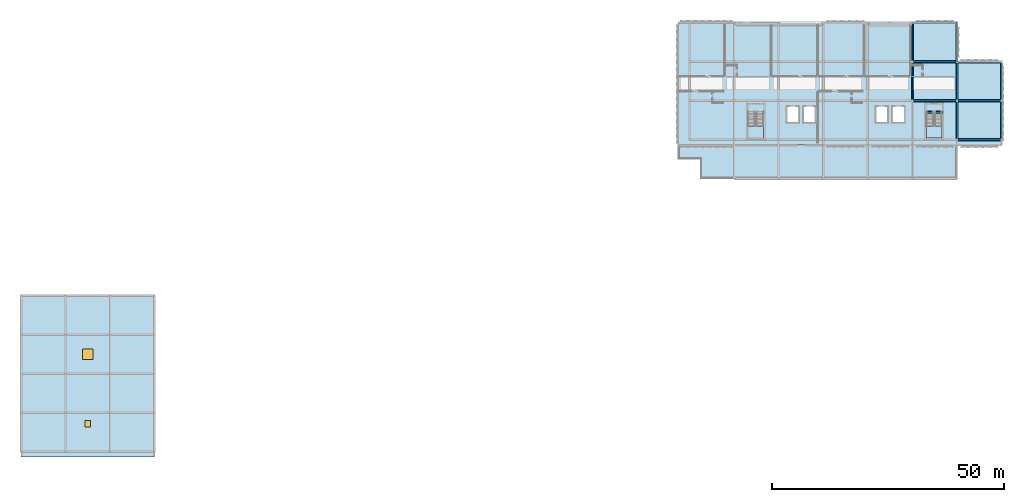
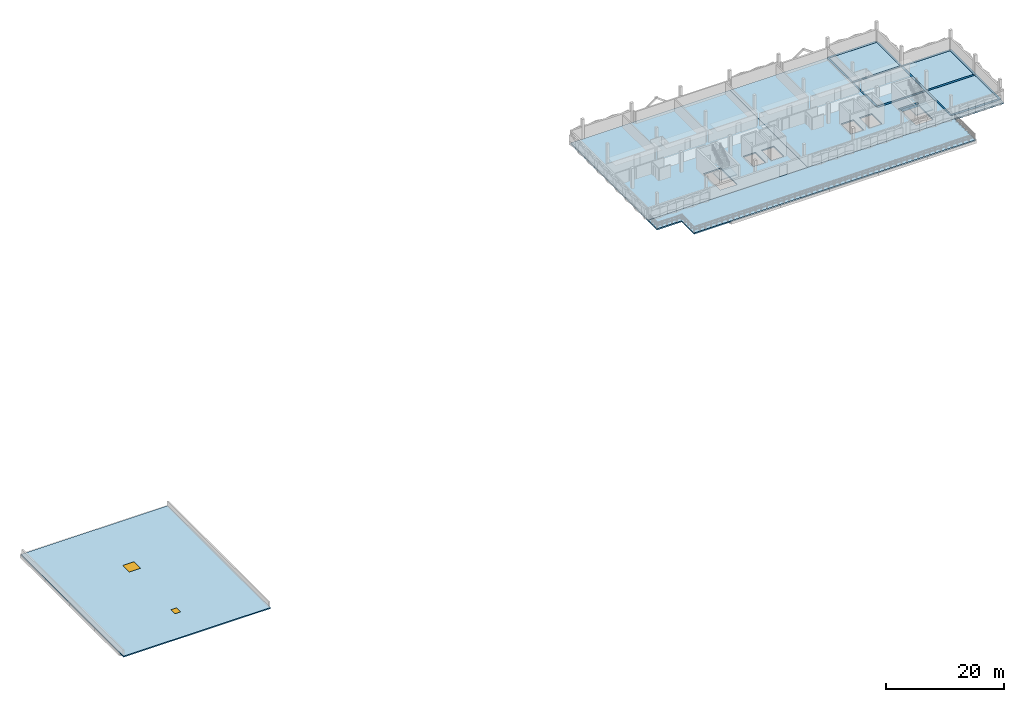
# One storey, part 3 of 13: 14 beams, 6 slabs, 1 door, 1 window, 2 openings, 3 elements without a shape of their own.
"""IFC4 building model written with IfcOpenShell, lengths in metres."""

from ifc_helpers import new_model, si_unit, direction, frame, origin, origin_2d, place, context, subcontext, project, spatial, polyline, rectangle, outline, extrude, material, layer, layer_set, material_profile, profile_set, type_object, element, fill, aggregate, save


model = new_model("IFC4")

# Units and contexts
model_context = context("Model", 3, precision=1e-05, world=origin(), true_north=direction((0.0, 1.0)))
body_context = subcontext(model_context, "Body", "Model", "MODEL_VIEW")
ifc_project = project(units=[si_unit("LENGTHUNIT", "METRE"), si_unit("AREAUNIT", "SQUARE_METRE"), si_unit("VOLUMEUNIT", "CUBIC_METRE"), si_unit("PLANEANGLEUNIT", "RADIAN"), si_unit("MASSUNIT", "GRAM", prefix="KILO")], contexts=[model_context])

# Site, building, storey
site_placement = place(None, origin())
site = spatial("IfcSite", under=ifc_project, at=site_placement, CompositionType="ELEMENT")
building_placement = place(site_placement, origin())
building = spatial("IfcBuilding", under=site, at=building_placement, Name="Oolite Switchyard Hospital", CompositionType="ELEMENT")
storey_placement = place(building_placement, frame((0.0, 0.0, 30.39990234375)))
storey = spatial("IfcBuildingStorey", under=building, at=storey_placement, Name="L07", CompositionType="ELEMENT", Elevation=30.39990234375)

# Beams
ifc_material_1 = material(Name="Concrete C40/50", Category="concrete")
ifc_material_profile_1 = material_profile(ifc_material_1, rectangle(XDim=0.35009765625, YDim=0.550048828125, at=origin_2d()), Name="RCB350X550")
ifc_profile_set_1 = profile_set([ifc_material_profile_1], Name="Concrete C40/50")
beam_type_1 = type_object("IfcBeamType", Name="BM-RC350X550", PredefinedType="BEAM", material=ifc_profile_set_1)
for number, where, z_axis, x_axis, name in (
    (1, (192.0, 117.60009765625, -0.27490234375), (0.0, 1.0, 0.0), (-1.0, 0.0, 0.0), "L07 Y-Girder 3932"),
    (2, (192.0, 126.0, -0.27490234375), (0.0, 1.0, 0.0), (-1.0, 0.0, 0.0), "L07 Y-Girder 3933"),
):
    element("IfcBeam", number, at=place(storey_placement, frame(where, z_axis=z_axis, x_axis=x_axis)), inside=storey, type_object=beam_type_1, Name=name, PredefinedType="BEAM", context=body_context, shape_type="SweptSolid", body=[
        extrude(rectangle(XDim=0.35009765625, YDim=0.550048828125, at=origin_2d()), origin(), (0.0, 0.0, 1.0), 8.39990234375),
    ])
beam_1_placement = place(storey_placement, frame((201.60009765625, 109.199951171875, -0.27490234375), z_axis=(0.0, 1.0, 0.0), x_axis=(-1.0, 0.0, 0.0)))
element("IfcBeam", 3, at=beam_1_placement, inside=storey, type_object=beam_type_1, Name="L07 Y-Girder 3935", PredefinedType="BEAM", context=body_context, shape_type="SweptSolid", body=[
    extrude(rectangle(XDim=0.35009765625, YDim=0.550048828125, at=origin_2d()), origin(), (0.0, 0.0, 1.0), 8.400146484375),
])
for number, where, z_axis, x_axis, name in (
    (4, (201.60009765625, 117.60009765625, -0.27490234375), (0.0, 1.0, 0.0), (-1.0, 0.0, 0.0), "L07 Y-Girder 3936"),
    (5, (201.60009765625, 126.0, -0.27490234375), (0.0, 1.0, 0.0), (-1.0, 0.0, 0.0), "L07 Y-Girder 3937"),
):
    element("IfcBeam", number, at=place(storey_placement, frame(where, z_axis=z_axis, x_axis=x_axis)), inside=storey, type_object=beam_type_1, Name=name, PredefinedType="BEAM", context=body_context, shape_type="SweptSolid", body=[
        extrude(rectangle(XDim=0.35009765625, YDim=0.550048828125, at=origin_2d()), origin(), (0.0, 0.0, 1.0), 8.39990234375),
    ])
ifc_material_profile_2 = material_profile(ifc_material_1, rectangle(XDim=0.39990234375, YDim=0.60009765625, at=origin_2d()), Name="RCB400X600")
ifc_profile_set_2 = profile_set([ifc_material_profile_2], Name="Concrete C40/50")
beam_type_2 = type_object("IfcBeamType", Name="BM-RC400X600", PredefinedType="BEAM", material=ifc_profile_set_2)
beam_2_placement = place(storey_placement, frame((201.60009765625, 109.199951171875, -0.2998046875), z_axis=(1.0, 0.0, 0.0), x_axis=(0.0, 1.0, 0.0)))
element("IfcBeam", 6, at=beam_2_placement, inside=storey, type_object=beam_type_2, Name="L07 X-Girder 3874", PredefinedType="BEAM", context=body_context, shape_type="SweptSolid", body=[
    extrude(rectangle(XDim=0.39990234375, YDim=0.60009765625, at=origin_2d()), origin(), (0.0, 0.0, 1.0), 9.599853515625),
])
beam_3_placement = place(storey_placement, frame((192.0, 117.60009765625, -0.2998046875), z_axis=(1.0, 0.0, 0.0), x_axis=(0.0, 1.0, 0.0)))
element("IfcBeam", 7, at=beam_3_placement, inside=storey, type_object=beam_type_2, Name="L07 X-Girder 3880", PredefinedType="BEAM", context=body_context, shape_type="SweptSolid", body=[
    extrude(rectangle(XDim=0.39990234375, YDim=0.60009765625, at=origin_2d()), origin(), (0.0, 0.0, 1.0), 9.60009765625),
])
beam_4_placement = place(storey_placement, frame((201.60009765625, 117.60009765625, -0.2998046875), z_axis=(1.0, 0.0, 0.0), x_axis=(0.0, 1.0, 0.0)))
element("IfcBeam", 8, at=beam_4_placement, inside=storey, type_object=beam_type_2, Name="L07 X-Girder 3881", PredefinedType="BEAM", context=body_context, shape_type="SweptSolid", body=[
    extrude(rectangle(XDim=0.39990234375, YDim=0.60009765625, at=origin_2d()), origin(), (0.0, 0.0, 1.0), 9.599853515625),
])
beam_5_placement = place(storey_placement, frame((192.0, 126.0, -0.2998046875), z_axis=(1.0, 0.0, 0.0), x_axis=(0.0, 1.0, 0.0)))
element("IfcBeam", 9, at=beam_5_placement, inside=storey, type_object=beam_type_2, Name="L07 X-Girder 3887", PredefinedType="BEAM", context=body_context, shape_type="SweptSolid", body=[
    extrude(rectangle(XDim=0.39990234375, YDim=0.60009765625, at=origin_2d()), origin(), (0.0, 0.0, 1.0), 9.60009765625),
])
beam_6_placement = place(storey_placement, frame((201.60009765625, 126.0, -0.2998046875), z_axis=(1.0, 0.0, 0.0), x_axis=(0.0, 1.0, 0.0)))
element("IfcBeam", 10, at=beam_6_placement, inside=storey, type_object=beam_type_2, Name="L07 X-Girder 3888", PredefinedType="BEAM", context=body_context, shape_type="SweptSolid", body=[
    extrude(rectangle(XDim=0.39990234375, YDim=0.60009765625, at=origin_2d()), origin(), (0.0, 0.0, 1.0), 9.599853515625),
])
beam_7_placement = place(storey_placement, frame((211.199951171875, 109.199951171875, -0.2998046875), z_axis=(0.0, 1.0, 0.0), x_axis=(-1.0, 0.0, 0.0)))
element("IfcBeam", 11, at=beam_7_placement, inside=storey, type_object=beam_type_2, Name="L07 Y-Girder 3938", PredefinedType="BEAM", context=body_context, shape_type="SweptSolid", body=[
    extrude(rectangle(XDim=0.39990234375, YDim=0.60009765625, at=origin_2d()), origin(), (0.0, 0.0, 1.0), 8.400146484375),
])
beam_8_placement = place(storey_placement, frame((211.199951171875, 117.60009765625, -0.2998046875), z_axis=(0.0, 1.0, 0.0), x_axis=(-1.0, 0.0, 0.0)))
element("IfcBeam", 12, at=beam_8_placement, inside=storey, type_object=beam_type_2, Name="L07 Y-Girder 3939", PredefinedType="BEAM", context=body_context, shape_type="SweptSolid", body=[
    extrude(rectangle(XDim=0.39990234375, YDim=0.60009765625, at=origin_2d()), origin(), (0.0, 0.0, 1.0), 8.39990234375),
])
beam_9_placement = place(storey_placement, frame((194.77490234375, 115.110107421875, -0.2998046875), z_axis=(1.0, 0.0, 0.0), x_axis=(0.0, 1.0, 0.0)))
element("IfcBeam", 13, at=beam_9_placement, inside=storey, type_object=beam_type_2, Name="L07 ST-04 Stair Throat Trimmer Beam", PredefinedType="BEAM", context=body_context, shape_type="SweptSolid", body=[
    extrude(rectangle(XDim=0.39990234375, YDim=0.60009765625, at=origin_2d()), origin(), (0.0, 0.0, 1.0), 3.81005859375),
])
ifc_material_profile_3 = material_profile(ifc_material_1, rectangle(XDim=0.449951171875, YDim=0.75, at=origin_2d()), Name="RCB450X750")
ifc_profile_set_3 = profile_set([ifc_material_profile_3], Name="Concrete C40/50")
beam_type_3 = type_object("IfcBeamType", Name="BM-RC450X750", PredefinedType="BEAM", material=ifc_profile_set_3)
beam_10_placement = place(storey_placement, frame((192.0, 134.39990234375, -0.375), z_axis=(1.0, 0.0, 0.0), x_axis=(0.0, 1.0, 0.0)))
element("IfcBeam", 14, at=beam_10_placement, inside=storey, type_object=beam_type_3, Name="L07 X-Girder 3894", PredefinedType="BEAM", context=body_context, shape_type="SweptSolid", body=[
    extrude(rectangle(XDim=0.449951171875, YDim=0.75, at=origin_2d()), origin(), (0.0, 0.0, 1.0), 9.60009765625),
])

# Slabs
ifc_layer_1 = layer(ifc_material_1, 0.27490234375)
ifc_layer_set_1 = layer_set([ifc_layer_1], Name="SLB-FLR-275")
slab_type_1 = type_object("IfcSlabType", Name="SLB-FLR-275", PredefinedType="FLOOR", material=ifc_layer_set_1)
slab_1_placement = place(storey_placement, frame((0.0, 0.0, -0.27490234375)))
element("IfcSlab", 15, at=slab_1_placement, inside=storey, type_object=slab_type_1, Name="L07 V5E Slab V5E1", PredefinedType="FLOOR", context=body_context, shape_type="SweptSolid", body=[
    extrude(outline(polyline([(141.60009765625, 108.0), (172.800048828125, 108.0), (172.800048828125, 134.39990234375), (141.60009765625, 134.39990234375), (141.60009765625, 108.0)]), holes=[polyline([(156.60009765625, 115.18994140625), (156.60009765625, 109.60009765625), (159.9599609375, 109.60009765625), (159.9599609375, 115.18994140625), (156.60009765625, 115.18994140625)]), polyline([(165.0, 112.89990234375), (167.39990234375, 112.89990234375), (167.39990234375, 116.300048828125), (165.0, 116.300048828125), (165.0, 112.89990234375)]), polyline([(168.60009765625, 112.89990234375), (171.0, 112.89990234375), (171.0, 116.300048828125), (168.60009765625, 116.300048828125), (168.60009765625, 112.89990234375)])]), origin(), (0.0, 0.0, 1.0), 0.27490234375),
])
slab_2_placement = place(storey_placement, frame((0.0, 0.0, -0.27490234375)))
element("IfcSlab", 16, at=slab_2_placement, inside=storey, type_object=slab_type_1, Name="L07 V5E Slab V5E2", PredefinedType="FLOOR", context=body_context, shape_type="SweptSolid", body=[
    extrude(outline(polyline([(172.800048828125, 108.0), (211.199951171875, 108.0), (211.199951171875, 126.0), (201.60009765625, 126.0), (201.60009765625, 134.39990234375), (172.800048828125, 134.39990234375), (172.800048828125, 108.0)]), holes=[polyline([(195.0, 115.18994140625), (195.0, 109.60009765625), (198.360107421875, 109.60009765625), (198.360107421875, 115.18994140625), (195.0, 115.18994140625)]), polyline([(184.199951171875, 112.89990234375), (186.60009765625, 112.89990234375), (186.60009765625, 116.300048828125), (184.199951171875, 116.300048828125), (184.199951171875, 112.89990234375)]), polyline([(187.800048828125, 112.89990234375), (190.199951171875, 112.89990234375), (190.199951171875, 116.300048828125), (187.800048828125, 116.300048828125), (187.800048828125, 112.89990234375)])]), origin(), (0.0, 0.0, 1.0), 0.27490234375),
])

# Stair, slab
stair_type = type_object("IfcStairType", Name="STR-DL-156-R24", PredefinedType="HALF_TURN_STAIR", material=ifc_material_1)
stair_1_placement = place(storey_placement, origin())
stair_1 = element("IfcStair", 17, at=stair_1_placement, inside=storey, type_object=stair_type, Name="L07 Exit Stair ST-03", PredefinedType="HALF_TURN_STAIR")
ifc_layer_2 = layer(ifc_material_1, 0.199951171875)
ifc_layer_set_2 = layer_set([ifc_layer_2], Name="SLB-LND-200")
slab_type_2 = type_object("IfcSlabType", Name="SLB-LND-200", PredefinedType="LANDING", material=ifc_layer_set_2)
slab_3_placement = place(storey_placement, frame((0.0, 0.0, 1.900146484375)))
slab_3 = element("IfcSlab", 18, at=slab_3_placement, type_object=slab_type_2, Name="ST-03 landing 1", PredefinedType="LANDING", context=body_context, shape_type="SweptSolid", body=[
    extrude(outline(polyline([(156.60009765625, 112.110107421875), (156.60009765625, 109.60009765625), (159.9599609375, 109.60009765625), (159.9599609375, 112.110107421875), (156.60009765625, 112.110107421875)])), origin(), (0.0, 0.0, 1.0), 0.199951171875),
])
aggregate(stair_1, [slab_3])

stair_2_placement = place(storey_placement, origin())
stair_2 = element("IfcStair", 19, at=stair_2_placement, inside=storey, type_object=stair_type, Name="L07 Exit Stair ST-04", PredefinedType="HALF_TURN_STAIR")
slab_4_placement = place(storey_placement, frame((0.0, 0.0, 1.900146484375)))
slab_4 = element("IfcSlab", 20, at=slab_4_placement, type_object=slab_type_2, Name="ST-04 landing 1", PredefinedType="LANDING", context=body_context, shape_type="SweptSolid", body=[
    extrude(outline(polyline([(195.0, 112.110107421875), (195.0, 109.60009765625), (198.360107421875, 109.60009765625), (198.360107421875, 112.110107421875), (195.0, 112.110107421875)])), origin(), (0.0, 0.0, 1.0), 0.199951171875),
])
aggregate(stair_2, [slab_4])

# Roof, slab, openings, door, window
roof_type = type_object("IfcRoofType", Name="ROOF-FLAT", PredefinedType="FLAT_ROOF", material=ifc_material_1)
roof_placement = place(storey_placement, origin())
roof = element("IfcRoof", 21, at=roof_placement, inside=storey, type_object=roof_type, Name="L07 Flat Cool Roof Assembly", PredefinedType="FLAT_ROOF")
ifc_layer_3 = layer(ifc_material_1, 0.235107421875)
ifc_layer_set_3 = layer_set([ifc_layer_3], Name="SLB-ROOF-235")
slab_type_3 = type_object("IfcSlabType", Name="SLB-ROOF-235", PredefinedType="ROOF", material=ifc_layer_set_3)
slab_5_placement = place(storey_placement, frame((0.0, 0.0, -0.23486328125)))
slab_5 = element("IfcSlab", 22, at=slab_5_placement, type_object=slab_type_3, Name="L07 V5W Slab V5WR", PredefinedType="ROOF", context=body_context, shape_type="SweptSolid", body=[
    extrude(outline(polyline([(0.0, 40.800048828125), (28.800048828125, 40.800048828125), (28.800048828125, 75.60009765625), (0.0, 75.60009765625), (0.0, 40.800048828125)])), origin(), (0.0, 0.0, 1.0), 0.23486328125),
])
opening_1_placement = place(slab_5_placement, frame((14.39990234375, 63.0, 0.0)))
opening_1 = element("IfcOpeningElement", 23, at=opening_1_placement, cuts=slab_5, Name="Opening SKY-012", PredefinedType="OPENING", context=body_context, shape_type="SweptSolid", body=[
    extrude(rectangle(XDim=2.199951171875, YDim=2.199951171875, at=origin_2d()), frame((0.0, 0.0, -0.010009765625), z_axis=(0.0, 0.0, 1.0), x_axis=(1.0, 0.0, 0.0)), (0.0, 0.0, 1.0), 0.2548828125),
])
opening_2_placement = place(slab_5_placement, frame((14.39990234375, 48.0, 0.0)))
opening_2 = element("IfcOpeningElement", 24, at=opening_2_placement, cuts=slab_5, Name="Opening HTD-05", PredefinedType="OPENING", context=body_context, shape_type="SweptSolid", body=[
    extrude(rectangle(XDim=1.10009765625, YDim=1.39990234375, at=origin_2d()), frame((0.0, 0.0, -0.010009765625), z_axis=(0.0, 0.0, 1.0), x_axis=(1.0, 0.0, 0.0)), (0.0, 0.0, 1.0), 0.2548828125),
])
ifc_material_2 = material(Name="Insulated marine-grade aluminum roof access hatch", Category="aluminium")
door_type = type_object("IfcDoorType", Name="HT-RF-110X140", OperationType="NOTDEFINED", PredefinedType="TRAPDOOR", material=ifc_material_2)
door_placement = place(opening_2_placement, frame((0.0, 0.0, 0.184814453125)))
door = element("IfcDoor", 25, at=door_placement, inside=storey, type_object=door_type, Name="L07 Maintenance Roof Access Hatch HTD-05", OperationType="SINGLE_SWING_LEFT", OverallHeight=1.39990234375, OverallWidth=1.10009765625, PredefinedType="TRAPDOOR", context=body_context, shape_type="SweptSolid", body=[
    extrude(rectangle(XDim=1.10009765625, YDim=1.39990234375, at=origin_2d()), origin(), (0.0, 0.0, 1.0), 0.050048828125),
])
fill(opening_2, door)
ifc_material_3 = material(Name="Thermally broken aluminum frame with laminated impact glazing", Category="aluminium")
window_type = type_object("IfcWindowType", Name="SKY-220X220", PartitioningType="SINGLE_PANEL", PredefinedType="SKYLIGHT", material=ifc_material_3)
window_placement = place(opening_1_placement, frame((0.0, 0.0, 0.184814453125)))
window = element("IfcWindow", 26, at=window_placement, inside=storey, type_object=window_type, Name="L07 Hurricane Roof Skylight SKY-012", OverallHeight=2.199951171875, OverallWidth=2.199951171875, PartitioningType="SINGLE_PANEL", PredefinedType="SKYLIGHT", context=body_context, shape_type="SweptSolid", body=[
    extrude(rectangle(XDim=2.199951171875, YDim=2.199951171875, at=origin_2d()), origin(), (0.0, 0.0, 1.0), 0.050048828125),
])
fill(opening_1, window)
aggregate(roof, [slab_5])

# Slab
ifc_layer_4 = layer(ifc_material_1, 0.264892578125)
ifc_layer_set_4 = layer_set([ifc_layer_4], Name="SLB-TER-265")
slab_type_4 = type_object("IfcSlabType", Name="SLB-TER-265", PredefinedType="FLOOR", material=ifc_layer_set_4)
slab_6_placement = place(storey_placement, frame((0.0, 0.0, -0.264892578125)))
element("IfcSlab", 27, at=slab_6_placement, inside=storey, type_object=slab_type_4, Name="L07 V5E Slab V5ET2", PredefinedType="FLOOR", context=body_context, shape_type="SweptSolid", body=[
    extrude(outline(polyline([(146.39990234375, 100.800048828125), (201.60009765625, 100.800048828125), (201.60009765625, 108.0), (141.60009765625, 108.0), (141.60009765625, 105.0), (146.39990234375, 105.0), (146.39990234375, 100.800048828125)])), origin(), (0.0, 0.0, 1.0), 0.264892578125),
])

save(model, "model.ifc")
